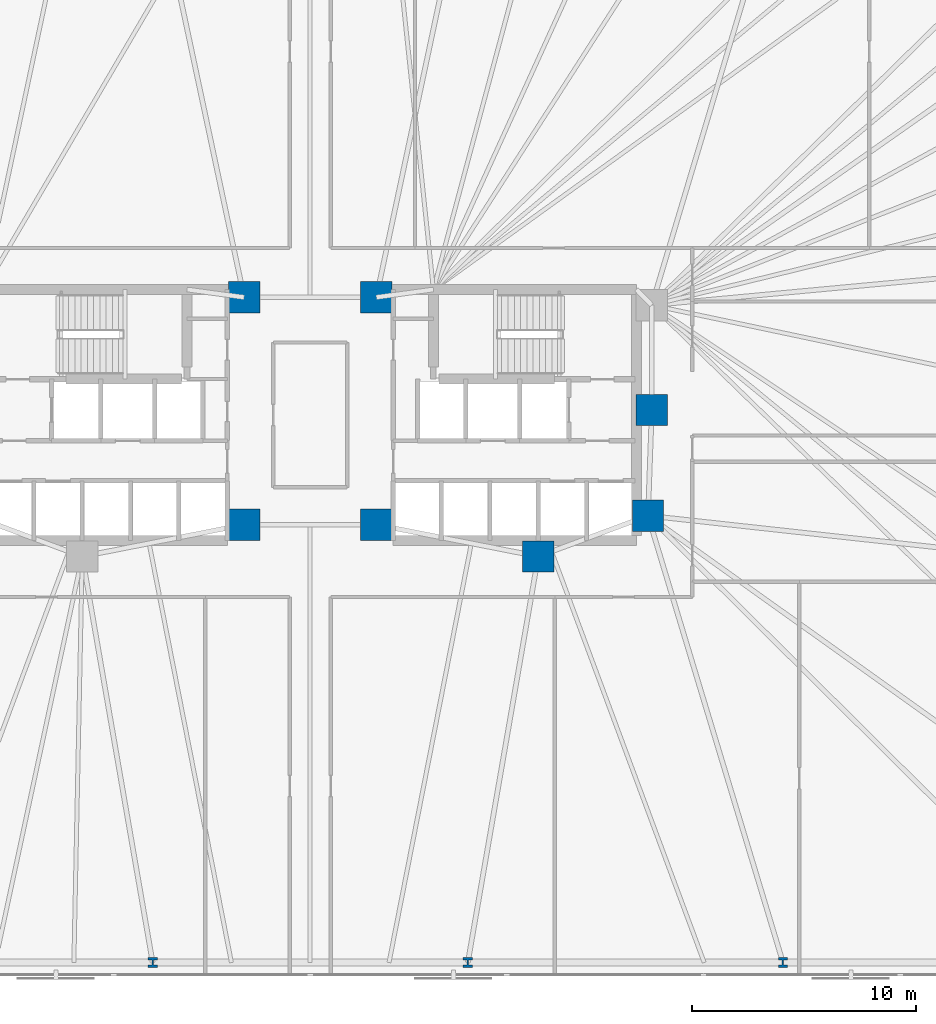
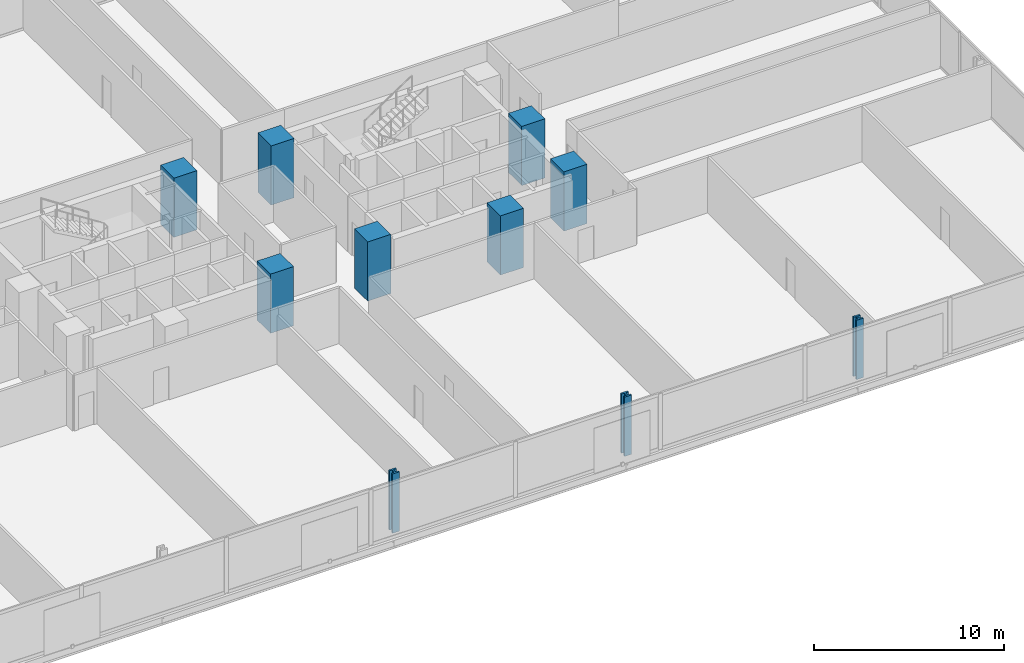
# One storey, part 3 of 17: 10 columns.
"""IFC4 building model written with IfcOpenShell, lengths in metres."""

from ifc_helpers import new_model, si_unit, direction, frame, origin, origin_2d, place, context, subcontext, project, spatial, rectangle, i_section, extrude, material, material_profile, profile_set, type_object, element, save


model = new_model("IFC4")

# Units and contexts
model_context = context("Model", 3, precision=1e-05, world=origin(), true_north=direction((0.0, 1.0)))
body_context = subcontext(model_context, "Body", "Model", "MODEL_VIEW")
ifc_project = project(units=[si_unit("LENGTHUNIT", "METRE"), si_unit("AREAUNIT", "SQUARE_METRE"), si_unit("VOLUMEUNIT", "CUBIC_METRE"), si_unit("PLANEANGLEUNIT", "RADIAN"), si_unit("MASSUNIT", "GRAM", prefix="KILO")], contexts=[model_context])

# Site, building, storey
site_placement = place(None, origin())
site = spatial("IfcSite", under=ifc_project, at=site_placement, CompositionType="ELEMENT")
building_placement = place(site_placement, origin())
building = spatial("IfcBuilding", under=site, at=building_placement, Name="Menara Jurai Vektor", CompositionType="ELEMENT")
storey_placement = place(building_placement, frame((0.0, 0.0, 29.39990234375)))
storey = spatial("IfcBuildingStorey", under=building, at=storey_placement, Name="L06", CompositionType="ELEMENT", Elevation=29.39990234375)

# Columns
ifc_material_1 = material(Name="Concrete C60/75", Category="concrete")
ifc_material_profile_1 = material_profile(ifc_material_1, rectangle(XDim=1.39990234375, YDim=1.39990234375, at=origin_2d()), Name="RC 1400x1400")
ifc_profile_set_1 = profile_set([ifc_material_profile_1], Name="Concrete C60/75")
column_type_1 = type_object("IfcColumnType", Name="STR-COL-RC1400", PredefinedType="COLUMN", material=ifc_profile_set_1)
for number, where, z_axis, x_axis, name in (
    (1, (-2.949951171875, -4.89990234375, 0.0), (0.0, 0.0, 1.0), (1.0, 0.0, 0.0), "Core Spine Column CW-SE L06"),
    (2, (-2.949951171875, 5.25, 0.0), (0.0, 0.0, 1.0), (1.0, 0.0, 0.0), "Core Spine Column CW-NE L06"),
    (3, (15.25, 0.219970703125, 0.0), (0.0, 0.0, 1.0), (1.0, 0.0, 0.0), "Core Spine Column CE-EM L06"),
    (4, (15.080078125, -4.5, 0.0), (0.0, 0.0, 1.0), (1.0, 0.0, 0.0), "Core Spine Column CE-SE L06"),
    (5, (10.179931640625, -6.320068359375, 0.0), (0.0, 0.0, 1.0), (1.0, 0.0, 0.0), "Core Spine Column CE-SM L06"),
    (6, (2.949951171875, -4.89990234375, 0.0), (0.0, 0.0, 1.0), (1.0, 0.0, 0.0), "Core Spine Column CE-SW L06"),
    (7, (2.949951171875, 5.25, 0.0), (0.0, 0.0, 1.0), (1.0, 0.0, 0.0), "Core Spine Column CE-NW L06"),
):
    element("IfcColumn", number, at=place(storey_placement, frame(where, z_axis=z_axis, x_axis=x_axis)), inside=storey, type_object=column_type_1, Name=name, PredefinedType="COLUMN", context=body_context, shape_type="SweptSolid", body=[
        extrude(rectangle(XDim=1.39990234375, YDim=1.39990234375, at=origin_2d()), origin(), (0.0, 0.0, 1.0), 3.800048828125),
    ])
ifc_material_2 = material(Name="Steel S460", Category="steel")
ifc_material_profile_2 = material_profile(ifc_material_2, i_section(OverallWidth=0.419921875, OverallDepth=0.430908203125, WebThickness=0.06494140625, FlangeThickness=0.10595703125, FilletRadius=0.014892578125, at=origin_2d()), Name="HD 400x900")
ifc_profile_set_2 = profile_set([ifc_material_profile_2], Name="Steel S460")
column_type_2 = type_object("IfcColumnType", Name="STR-EXO-BLK1", PredefinedType="COLUMN", material=ifc_profile_set_2)
for number, where, z_axis, x_axis, name in (
    (8, (-7.03564453125, -24.449951171875, 0.0), (0.0, 0.0, 1.0), (1.0, 0.0, 0.0), "Exoskeleton Column BLK1-S3 L06"),
    (9, (7.03564453125, -24.449951171875, 0.0), (0.0, 0.0, 1.0), (1.0, 0.0, 0.0), "Exoskeleton Column BLK1-S4 L06"),
    (10, (21.106689453125, -24.449951171875, 0.0), (0.0, 0.0, 1.0), (1.0, 0.0, 0.0), "Exoskeleton Column BLK1-S5 L06"),
):
    element("IfcColumn", number, at=place(storey_placement, frame(where, z_axis=z_axis, x_axis=x_axis)), inside=storey, type_object=column_type_2, Name=name, PredefinedType="COLUMN", context=body_context, shape_type="SweptSolid", body=[
        extrude(i_section(OverallWidth=0.419921875, OverallDepth=0.430908203125, WebThickness=0.06494140625, FlangeThickness=0.10595703125, FilletRadius=0.014892578125, at=origin_2d()), origin(), (0.0, 0.0, 1.0), 3.800048828125),
    ])

save(model, "model.ifc")
